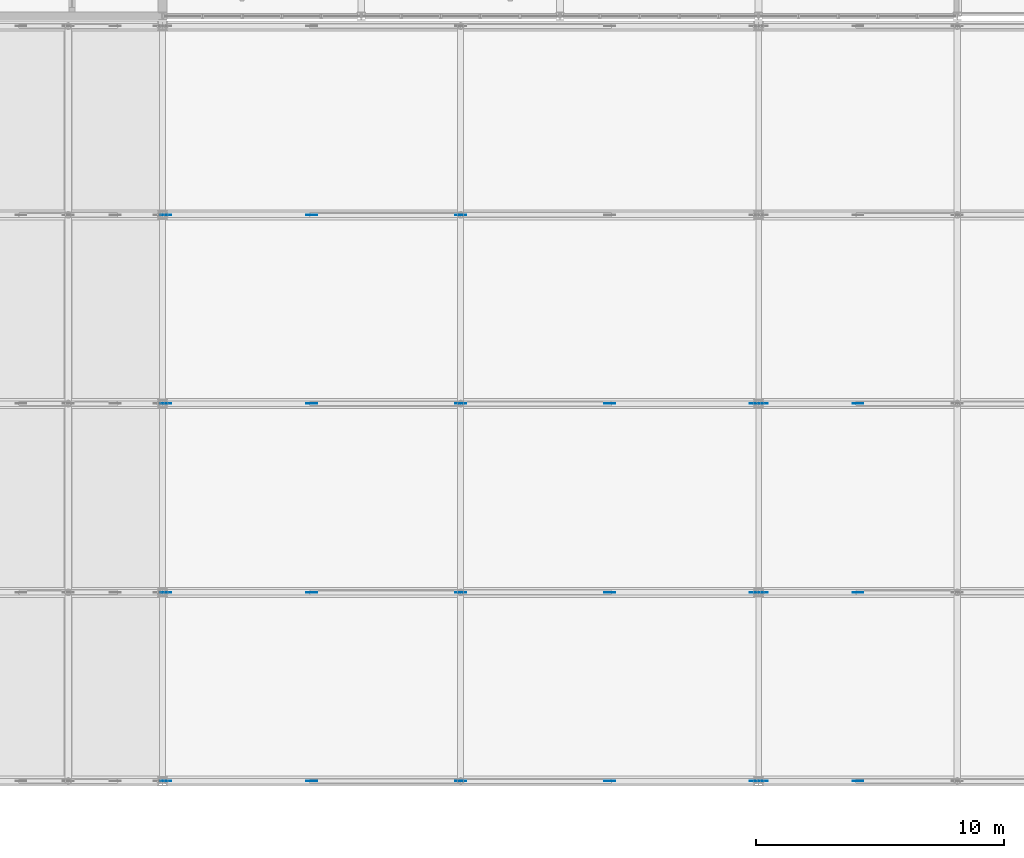
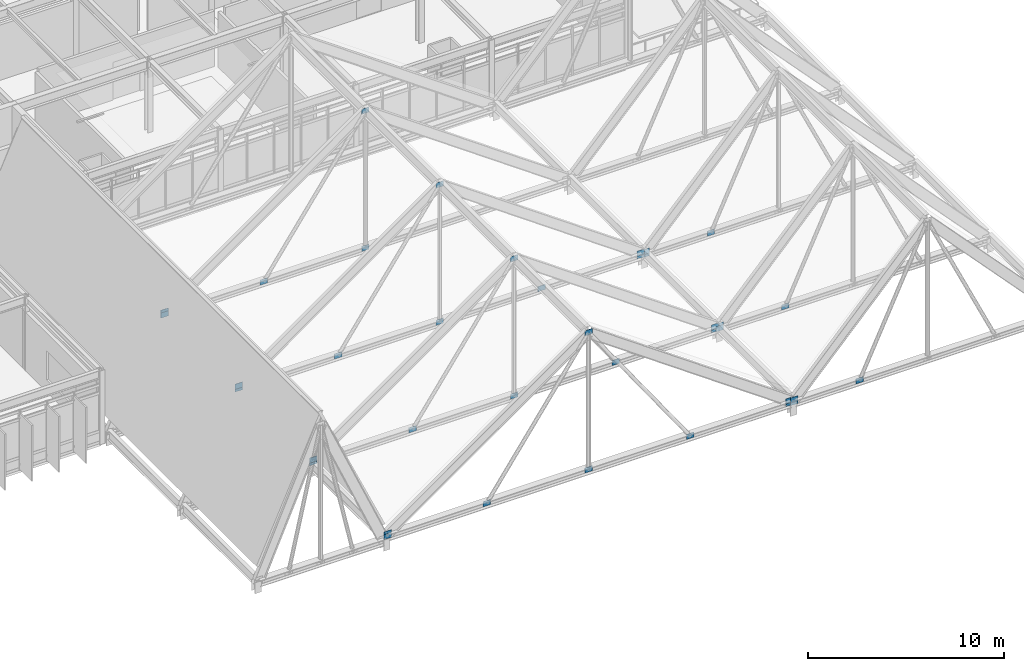
# One storey, part 79 of 100: 38 plates.
"""IFC4 building model written with IfcOpenShell, lengths in metres."""

import ifcopenshell
import ifcopenshell.guid

model = None  # the IFC model being written
_history = None  # IfcOwnerHistory: only IFC2X3 demands one
_inside = {}  # id of a spatial element -> (the spatial element, [elements in it])
_under = {}  # id of a project, library or spatial element -> (it, [spatial elements below it])
_declared = {}  # id of a project -> (the project, [libraries it declares])
_typed = {}  # id of a type object -> (the type object, [elements of that type])
_made_of = {}  # id of a material, layer set ... -> (it, [elements and type objects made of it])


def new_model(schema):
    """Start an empty IFC model of exactly this schema.

    Asked for "IFC4X3", IfcOpenShell would pick the latest addendum, in which some entities
    have other attributes; the version numbers below select the first issue.
    IFC2X3 requires an IfcOwnerHistory on every rooted entity: one is made here for all.
    """
    global model, _history
    if schema == "IFC4X3":
        model = ifcopenshell.file(schema_version=(4, 3, 0, 0))
    else:
        model = ifcopenshell.file(schema=schema)
    _inside.clear()
    _under.clear()
    _declared.clear()
    _typed.clear()
    _made_of.clear()
    _history = None
    if model.schema == "IFC2X3":
        org = make("IfcOrganization", Name="unknown")
        user = make(
            "IfcPersonAndOrganization",
            ThePerson=make("IfcPerson", FamilyName="unknown"),
            TheOrganization=org,
        )
        app = make(
            "IfcApplication",
            ApplicationDeveloper=org,
            Version="unknown",
            ApplicationFullName="unknown",
            ApplicationIdentifier="unknown",
        )
        _history = make(
            "IfcOwnerHistory",
            OwningUser=user,
            OwningApplication=app,
            ChangeAction="ADDED",
            CreationDate=0,
        )
    return model


def make(cls, **values):
    """One entity of the class cls with the attributes given. An attribute that is None is left unset."""
    return model.create_entity(
        cls, **{name: value for name, value in values.items() if value is not None}
    )


def rooted(cls, **values):
    """An entity with a GlobalId (a new one), such as an element, a storey or a relation."""
    return make(cls, GlobalId=ifcopenshell.guid.new(), OwnerHistory=_history, **values)


def si_unit(unit_type, name, prefix=None):
    """IfcSIUnit, for example si_unit("LENGTHUNIT", "METRE", prefix="MILLI")."""
    return make("IfcSIUnit", UnitType=unit_type, Prefix=prefix, Name=name)


def assignment(units):
    """IfcUnitAssignment: the units of a project."""
    return None if units is None else make("IfcUnitAssignment", Units=units)


def point(xyz):
    """IfcCartesianPoint."""
    return None if xyz is None else make("IfcCartesianPoint", Coordinates=xyz)


def direction(xyz):
    """IfcDirection."""
    return None if xyz is None else make("IfcDirection", DirectionRatios=xyz)


def frame(location, z_axis=None, x_axis=None):
    """IfcAxis2Placement3D, a coordinate frame: its origin and axes. An axis left out is left unset."""
    return make(
        "IfcAxis2Placement3D",
        Location=point(location),
        Axis=direction(z_axis),
        RefDirection=direction(x_axis),
    )


def frame_2d(location, x_axis=None):
    """IfcAxis2Placement2D, a coordinate frame in the plane: its origin and x axis."""
    return make(
        "IfcAxis2Placement2D", Location=point(location), RefDirection=direction(x_axis)
    )


def origin():
    """The frame at (0, 0, 0) with its axes left unset."""
    return frame((0.0, 0.0, 0.0))


def origin_2d():
    """The frame at (0, 0) in the plane with its x axis left unset."""
    return frame_2d((0.0, 0.0))


def place(relative_to, where):
    """IfcLocalPlacement: puts the frame where relative to a parent placement (None: the world)."""
    return make(
        "IfcLocalPlacement", PlacementRelTo=relative_to, RelativePlacement=where
    )


def context(
    kind, dimensions, precision=None, world=None, true_north=None, identifier=None
):
    """IfcGeometricRepresentationContext, for example the 3D "Model" context."""
    return make(
        "IfcGeometricRepresentationContext",
        ContextIdentifier=identifier,
        ContextType=kind,
        CoordinateSpaceDimension=dimensions,
        Precision=precision,
        WorldCoordinateSystem=world,
        TrueNorth=true_north,
    )


def subcontext(parent, identifier, kind, view, scale=None):
    """IfcGeometricRepresentationSubContext, for example "Body" below "Model"."""
    return make(
        "IfcGeometricRepresentationSubContext",
        ContextIdentifier=identifier,
        ContextType=kind,
        ParentContext=parent,
        TargetScale=scale,
        TargetView=view,
    )


def project(units=None, contexts=None):
    """IfcProject with its units and contexts."""
    return rooted(
        "IfcProject",
        Name="project",
        RepresentationContexts=contexts,
        UnitsInContext=assignment(units),
    )


def spatial(cls, under=None, at=None, **own):
    """A site, building, storey or space (cls), placed at a placement, below another one or the project."""
    s = rooted(cls, ObjectPlacement=at, **own)
    if under is not None:
        _under.setdefault(under.id(), (under, []))[1].append(s)
    return s


def profile(cls, at=None, kind="AREA", **sizes):
    """A parametric profile (cls). Its sizes go by their IFC names, for example OverallWidth=200.0."""
    return make(cls, ProfileType=kind, Position=at, **sizes)


def rectangle(**sizes):
    """IfcRectangleProfileDef."""
    return profile("IfcRectangleProfileDef", **sizes)


def extrude(swept, where, along, depth):
    """IfcExtrudedAreaSolid: the profile swept, set in the frame where, extruded along a direction by depth."""
    return make(
        "IfcExtrudedAreaSolid",
        SweptArea=swept,
        Position=where,
        ExtrudedDirection=direction(along),
        Depth=depth,
    )


def shape(context_of_items, identifier, shape_type, items):
    """IfcShapeRepresentation: the items that make up one representation, for example the "Body"."""
    return make(
        "IfcShapeRepresentation",
        ContextOfItems=context_of_items,
        RepresentationIdentifier=identifier,
        RepresentationType=shape_type,
        Items=items,
    )


def material(Name=None, Category=None):
    """IfcMaterial."""
    return make("IfcMaterial", Name=Name, Category=Category)


def layer(
    of_material, thickness, ventilated=None, Name=None, Category=None, Priority=None
):
    """IfcMaterialLayer: one layer of a wall or slab, of a material (None: an air gap)."""
    return make(
        "IfcMaterialLayer",
        Material=of_material,
        LayerThickness=thickness,
        IsVentilated=ventilated,
        Name=Name,
        Category=Category,
        Priority=Priority,
    )


def layer_set(layers, Name=None):
    """IfcMaterialLayerSet."""
    return make("IfcMaterialLayerSet", MaterialLayers=layers, LayerSetName=Name)


def made_of(thing, what):
    """Note that an element or type object is made of a material, layer set ...; save() writes the relation."""
    if what is not None:
        _made_of.setdefault(what.id(), (what, []))[1].append(thing)
    return thing


def type_object(cls, material=None, **own):
    """A type object (cls), such as IfcWallType, which elements share."""
    return made_of(rooted(cls, **own), material)


def element(
    cls,
    number,
    at=None,
    inside=None,
    cuts=None,
    type_object=None,
    material=None,
    context=None,
    identifier="Body",
    shape_type=None,
    held_by="IfcProductDefinitionShape",
    body=None,
    shapes=None,
    **own,
):
    """One element of the class cls, such as IfcWall. Its Tag is "e" and its number.

    at: its placement. inside: the storey or other place that contains it. cuts: it is an
    opening in that element (IfcRelVoidsElement). A single representation is given by context,
    identifier, shape_type and body (its items); several are given by shapes. held_by: the class
    of the entity that holds the representations. save() writes the other relations.
    """
    e = rooted(cls, Tag="e%d" % number, ObjectPlacement=at, **own)
    if body is not None:
        shapes = [shape(context, identifier, shape_type, body)]
    if shapes is not None:
        e.Representation = make(held_by, Representations=shapes)
    if inside is not None:
        _inside.setdefault(inside.id(), (inside, []))[1].append(e)
    if cuts is not None:
        rooted(
            "IfcRelVoidsElement", RelatingBuildingElement=cuts, RelatedOpeningElement=e
        )
    if type_object is not None:
        _typed.setdefault(type_object.id(), (type_object, []))[1].append(e)
    return made_of(e, material)


def aggregate(whole, parts):
    """IfcRelAggregates: a whole, such as a stair, and the parts it consists of."""
    return rooted("IfcRelAggregates", RelatingObject=whole, RelatedObjects=parts)


def save(model, path):
    """Write the relations noted so far, then the file.

    IfcRelAggregates (storeys below a building ...), IfcRelContainedInSpatialStructure (elements
    in a storey), IfcRelDefinesByType, IfcRelAssociatesMaterial and IfcRelDeclares: one each for
    every whole, place, type object, material and project.
    """
    for whole, parts in _under.values():
        aggregate(whole, parts)
    for where, things in _inside.values():
        rooted(
            "IfcRelContainedInSpatialStructure",
            RelatedElements=things,
            RelatingStructure=where,
        )
    for kind, things in _typed.values():
        rooted("IfcRelDefinesByType", RelatedObjects=things, RelatingType=kind)
    for what, things in _made_of.values():
        rooted("IfcRelAssociatesMaterial", RelatedObjects=things, RelatingMaterial=what)
    for by, libraries in _declared.values():
        rooted("IfcRelDeclares", RelatingContext=by, RelatedDefinitions=libraries)
    model.write(path)


model = new_model("IFC4")

# Units and contexts
model_context = context("Model", 3, precision=1e-05, world=origin(), true_north=direction((0.0, 1.0)))
body_context = subcontext(model_context, "Body", "Model", "MODEL_VIEW")
ifc_project = project(units=[si_unit("LENGTHUNIT", "METRE"), si_unit("AREAUNIT", "SQUARE_METRE"), si_unit("VOLUMEUNIT", "CUBIC_METRE"), si_unit("PLANEANGLEUNIT", "RADIAN"), si_unit("MASSUNIT", "GRAM", prefix="KILO")], contexts=[model_context])

# Site, building, storey
site_placement = place(None, origin())
site = spatial("IfcSite", under=ifc_project, at=site_placement, CompositionType="ELEMENT")
building_placement = place(site_placement, origin())
building = spatial("IfcBuilding", under=site, at=building_placement, Name="Zulena Civic Courthouse", CompositionType="ELEMENT")
storey_placement = place(building_placement, frame((0.0, 0.0, 20.39990234375)))
storey = spatial("IfcBuildingStorey", under=building, at=storey_placement, Name="L04", CompositionType="ELEMENT", Elevation=20.39990234375)

# Plates
ifc_material = material(Name="Steel ASTM A572 Grade 50", Category="steel")
ifc_layer = layer(ifc_material, 0.02490234375)
ifc_layer_set = layer_set([ifc_layer], Name="Steel ASTM A572 Grade 50")
plate_type = type_object("IfcPlateType", Name="GussetPlate_440x320x25", PredefinedType="SHEET", material=ifc_layer_set)
for number, where, z_axis, x_axis, name in (
    (1, (132.139892578125, 0.0, 0.37646484375), (0.0, 0.0, 1.0), (1.0, 0.0, 0.0), "plate:fd:postW:06:0.0:0"),
    (2, (132.139892578125, 0.0, 0.53662109375), (0.0, 0.0, 1.0), (1.0, 0.0, 0.0), "plate:fd:postW:06:0.0:1"),
    (3, (155.860107421875, 0.0, 0.37646484375), (0.0, 0.0, 1.0), (1.0, 0.0, 0.0), "plate:fd:postE:06:0.0:0"),
    (4, (155.860107421875, 0.0, 0.53662109375), (0.0, 0.0, 1.0), (1.0, 0.0, 0.0), "plate:fd:postE:06:0.0:1"),
    (5, (144.0, 0.0, 0.37646484375), (0.0, 0.0, 1.0), (1.0, 0.0, 0.0), "plate:fd:king:06:0.0:0"),
    (6, (144.0, 0.0, 8.9365234375), (0.0, 0.0, 1.0), (1.0, 0.0, 0.0), "plate:fd:king:06:0.0:1"),
    (7, (138.0, 0.0, 0.37646484375), (0.0, 0.0, 1.0), (1.0, 0.0, 0.0), "plate:fd:diagW:06:0.0:0"),
    (8, (150.0, 0.0, 0.37646484375), (0.0, 0.0, 1.0), (1.0, 0.0, 0.0), "plate:fd:diagE:06:0.0:0"),
    (9, (132.139892578125, 7.60009765625, 0.37646484375), (0.0, 0.0, 1.0), (1.0, 0.0, 0.0), "plate:fd:postW:06:7.6:0"),
    (10, (132.139892578125, 7.60009765625, 0.53662109375), (0.0, 0.0, 1.0), (1.0, 0.0, 0.0), "plate:fd:postW:06:7.6:1"),
    (11, (155.860107421875, 7.60009765625, 0.37646484375), (0.0, 0.0, 1.0), (1.0, 0.0, 0.0), "plate:fd:postE:06:7.6:0"),
    (12, (155.860107421875, 7.60009765625, 0.53662109375), (0.0, 0.0, 1.0), (1.0, 0.0, 0.0), "plate:fd:postE:06:7.6:1"),
    (13, (144.0, 7.60009765625, 0.37646484375), (0.0, 0.0, 1.0), (1.0, 0.0, 0.0), "plate:fd:king:06:7.6:0"),
    (14, (144.0, 7.60009765625, 8.9365234375), (0.0, 0.0, 1.0), (1.0, 0.0, 0.0), "plate:fd:king:06:7.6:1"),
    (15, (138.0, 7.60009765625, 0.37646484375), (0.0, 0.0, 1.0), (1.0, 0.0, 0.0), "plate:fd:diagW:06:7.6:0"),
    (16, (150.0, 7.60009765625, 0.37646484375), (0.0, 0.0, 1.0), (1.0, 0.0, 0.0), "plate:fd:diagE:06:7.6:0"),
    (17, (132.139892578125, 15.199951171875, 0.37646484375), (0.0, 0.0, 1.0), (1.0, 0.0, 0.0), "plate:fd:postW:06:15.2:0"),
    (18, (132.139892578125, 15.199951171875, 0.53662109375), (0.0, 0.0, 1.0), (1.0, 0.0, 0.0), "plate:fd:postW:06:15.2:1"),
    (19, (155.860107421875, 15.199951171875, 0.37646484375), (0.0, 0.0, 1.0), (1.0, 0.0, 0.0), "plate:fd:postE:06:15.2:0"),
    (20, (155.860107421875, 15.199951171875, 0.53662109375), (0.0, 0.0, 1.0), (1.0, 0.0, 0.0), "plate:fd:postE:06:15.2:1"),
    (21, (144.0, 15.199951171875, 0.37646484375), (0.0, 0.0, 1.0), (1.0, 0.0, 0.0), "plate:fd:king:06:15.2:0"),
    (22, (144.0, 15.199951171875, 8.9365234375), (0.0, 0.0, 1.0), (1.0, 0.0, 0.0), "plate:fd:king:06:15.2:1"),
    (23, (138.0, 15.199951171875, 0.37646484375), (0.0, 0.0, 1.0), (1.0, 0.0, 0.0), "plate:fd:diagW:06:15.2:0"),
    (24, (150.0, 15.199951171875, 0.37646484375), (0.0, 0.0, 1.0), (1.0, 0.0, 0.0), "plate:fd:diagE:06:15.2:0"),
    (25, (132.139892578125, 22.800048828125, 0.37646484375), (0.0, 0.0, 1.0), (1.0, 0.0, 0.0), "plate:fd:postW:06:22.8:0"),
    (26, (132.139892578125, 22.800048828125, 0.53662109375), (0.0, 0.0, 1.0), (1.0, 0.0, 0.0), "plate:fd:postW:06:22.8:1"),
    (27, (144.0, 22.800048828125, 0.37646484375), (0.0, 0.0, 1.0), (1.0, 0.0, 0.0), "plate:fd:king:06:22.8:0"),
    (28, (144.0, 22.800048828125, 8.9365234375), (0.0, 0.0, 1.0), (1.0, 0.0, 0.0), "plate:fd:king:06:22.8:1"),
    (29, (138.0, 22.800048828125, 0.37646484375), (0.0, 0.0, 1.0), (1.0, 0.0, 0.0), "plate:fd:diagW:06:22.8:0"),
    (30, (156.139892578125, 0.0, 0.33642578125), (0.0, 0.0, 1.0), (1.0, 0.0, 0.0), "plate:fd:postW:07:0.0:0"),
    (31, (156.139892578125, 0.0, 0.49609375), (0.0, 0.0, 1.0), (1.0, 0.0, 0.0), "plate:fd:postW:07:0.0:1"),
    (32, (160.0, 0.0, 0.33642578125), (0.0, 0.0, 1.0), (1.0, 0.0, 0.0), "plate:fd:diagW:07:0.0:0"),
    (33, (156.139892578125, 7.60009765625, 0.33642578125), (0.0, 0.0, 1.0), (1.0, 0.0, 0.0), "plate:fd:postW:07:7.6:0"),
    (34, (156.139892578125, 7.60009765625, 0.49609375), (0.0, 0.0, 1.0), (1.0, 0.0, 0.0), "plate:fd:postW:07:7.6:1"),
    (35, (160.0, 7.60009765625, 0.33642578125), (0.0, 0.0, 1.0), (1.0, 0.0, 0.0), "plate:fd:diagW:07:7.6:0"),
    (36, (156.139892578125, 15.199951171875, 0.33642578125), (0.0, 0.0, 1.0), (1.0, 0.0, 0.0), "plate:fd:postW:07:15.2:0"),
    (37, (156.139892578125, 15.199951171875, 0.49609375), (0.0, 0.0, 1.0), (1.0, 0.0, 0.0), "plate:fd:postW:07:15.2:1"),
    (38, (160.0, 15.199951171875, 0.33642578125), (0.0, 0.0, 1.0), (1.0, 0.0, 0.0), "plate:fd:diagW:07:15.2:0"),
):
    element("IfcPlate", number, at=place(storey_placement, frame(where, z_axis=z_axis, x_axis=x_axis)), inside=storey, type_object=plate_type, Name=name, PredefinedType="SHEET", context=body_context, shape_type="SweptSolid", body=[
        extrude(rectangle(XDim=0.43994140625, YDim=0.02490234375, at=origin_2d()), origin(), (0.0, 0.0, 1.0), 0.320068359375),
    ])

save(model, "model.ifc")
